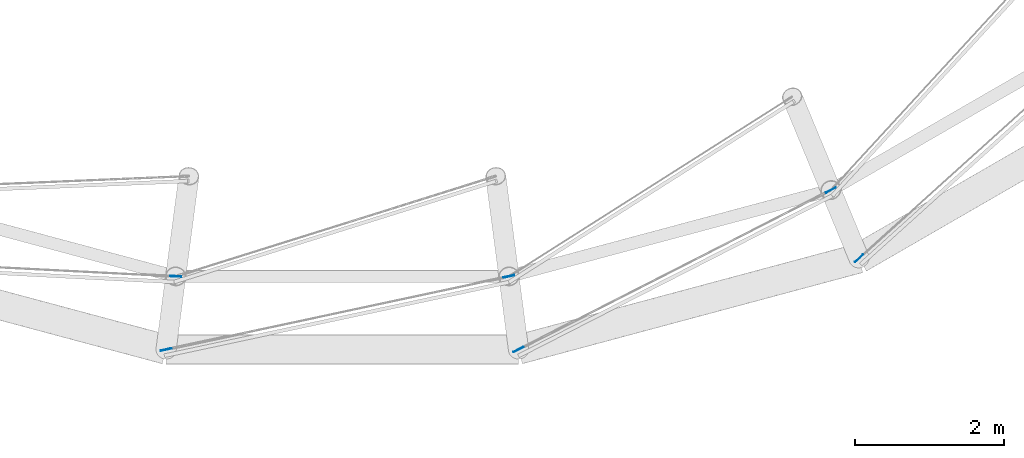
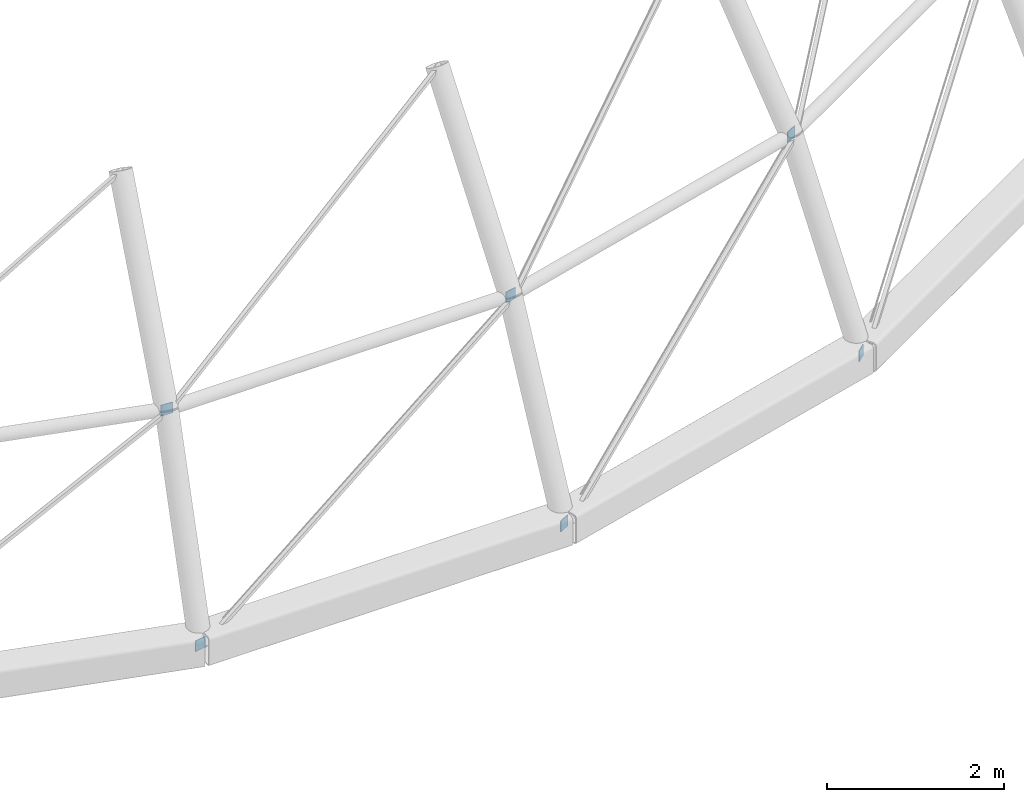
# One storey, part 34 of 59: 6 discrete accessories.
"""IFC4 building model written with IfcOpenShell, lengths in metres."""

from ifc_helpers import new_model, si_unit, direction, frame, origin, origin_2d, place, context, subcontext, project, spatial, rectangle, extrude, material, type_object, element, save


model = new_model("IFC4")

# Units and contexts
model_context = context("Model", 3, precision=1e-05, world=origin(), true_north=direction((0.0, 1.0)))
body_context = subcontext(model_context, "Body", "Model", "MODEL_VIEW")
ifc_project = project(units=[si_unit("LENGTHUNIT", "METRE"), si_unit("AREAUNIT", "SQUARE_METRE"), si_unit("VOLUMEUNIT", "CUBIC_METRE"), si_unit("PLANEANGLEUNIT", "RADIAN"), si_unit("MASSUNIT", "GRAM", prefix="KILO")], contexts=[model_context])

# Site, building, storey
site_placement = place(None, origin())
site = spatial("IfcSite", under=ifc_project, at=site_placement, CompositionType="ELEMENT")
building_placement = place(site_placement, origin())
building = spatial("IfcBuilding", under=site, at=building_placement, Name="Hortulan Conservatory and Botanical Research Centre", CompositionType="ELEMENT")
storey_placement = place(building_placement, frame((0.0, 0.0, 10.5)))
storey = spatial("IfcBuildingStorey", under=building, at=storey_placement, Name="L02", CompositionType="ELEMENT", Elevation=10.5)

# Discrete accessories
ifc_material = material(Name="Steel Grade 300 plate (AS/NZS 3678, 280 MPa minimum yield)", Category="steel")
discrete_accessory_type = type_object("IfcDiscreteAccessoryType", Name="End Plate 150x10", PredefinedType="BRACKET", material=ifc_material)
for number, where, z_axis, x_axis, name in (
    (1, (51.63037109375, 0.0, -0.074951171875), (0.0, 0.0, 1.0), (0.977976720708, 0.208713999897, 0.0), "Dome rod end plate"),
    (2, (51.759765625, 0.98388671875, 2.51904296875), (0.0, 0.0, 1.0), (0.998671230905, -0.051534188286, 0.0), "Dome rod end plate"),
    (3, (56.240234375, 0.98388671875, 2.51904296875), (0.0, 0.0, 1.0), (0.977976720708, 0.208713999897, 0.0), "Dome rod end plate"),
    (4, (56.36962890625, 0.0, -0.074951171875), (0.0, 0.0, 1.0), (0.890633813888, 0.454721243795, 0.0), "Dome rod end plate"),
    (5, (60.568115234375, 2.1435546875, 2.51904296875), (0.0, 0.0, 1.0), (0.890633813888, 0.454721243795, 0.0), "Dome rod end plate"),
    (6, (60.94775390625, 1.226806640625, -0.074951171875), (0.0, 0.0, 1.0), (0.742607373549, 0.669727025549, 0.0), "Dome rod end plate"),
):
    element("IfcDiscreteAccessory", number, at=place(storey_placement, frame(where, z_axis=z_axis, x_axis=x_axis)), inside=storey, type_object=discrete_accessory_type, Name=name, PredefinedType="BRACKET", context=body_context, shape_type="SweptSolid", body=[
        extrude(rectangle(XDim=0.14990234375, YDim=0.010009765625, at=origin_2d()), origin(), (0.0, 0.0, 1.0), 0.14990234375),
    ])

save(model, "model.ifc")
